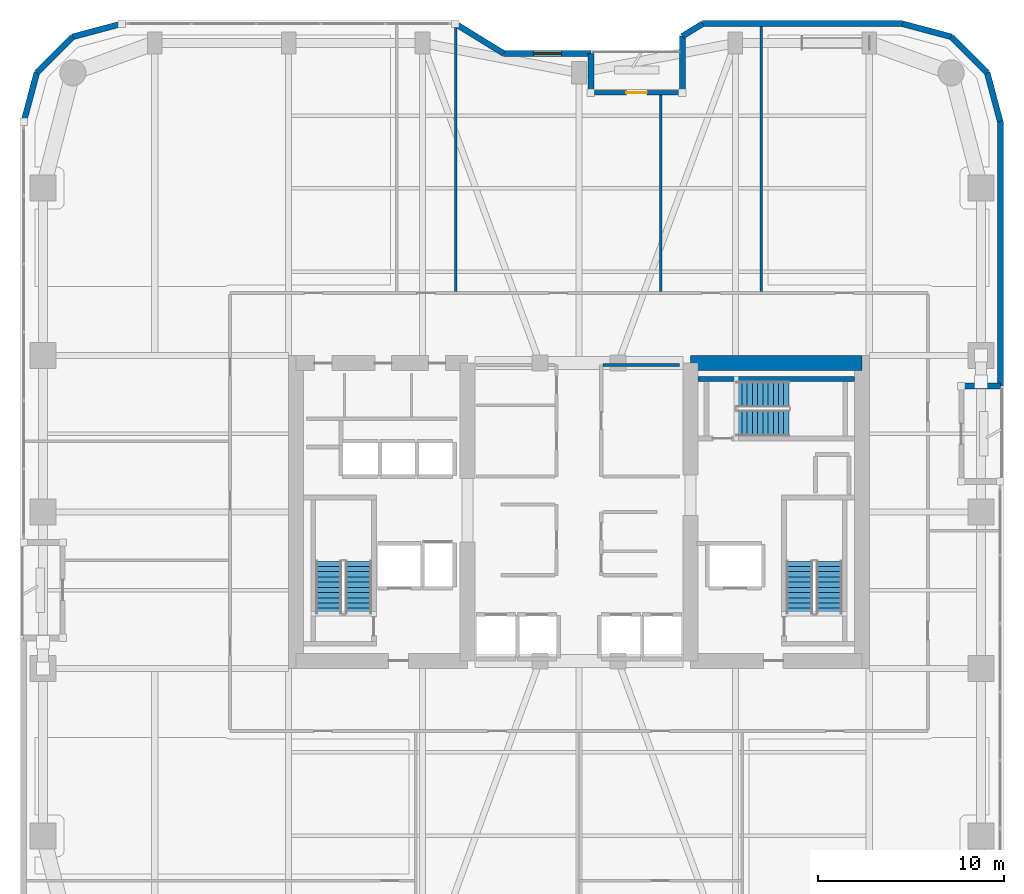
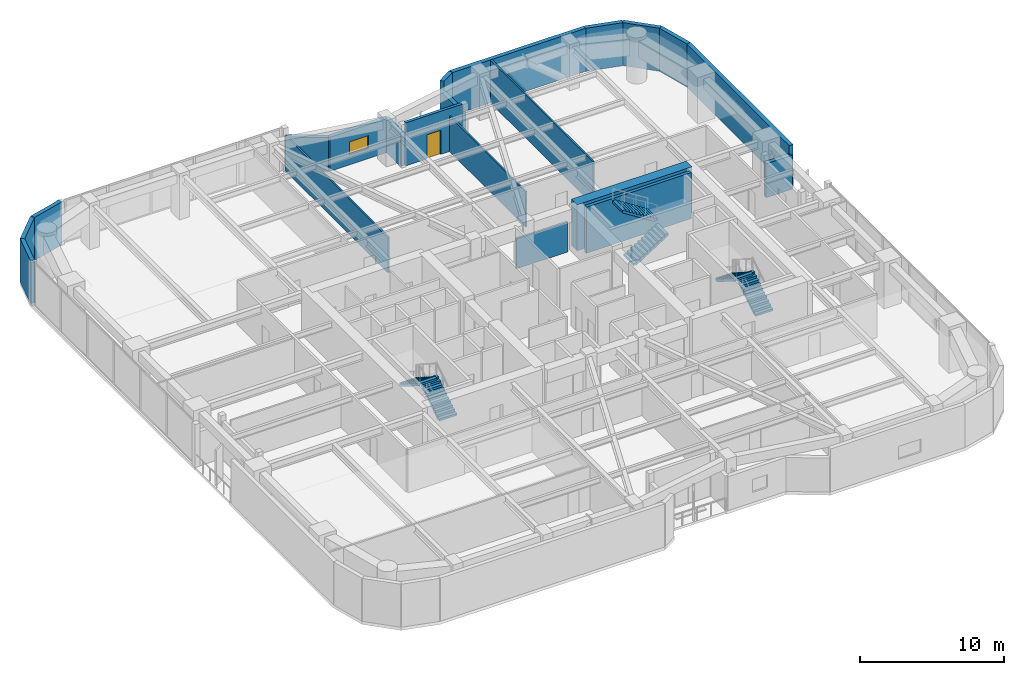
# One storey, part 21 of 24: 21 walls, 6 stair flights, 1 door, 1 window, 2 openings, 3 elements without a shape of their own.
"""IFC4 building model written with IfcOpenShell, lengths in metres."""

from ifc_helpers import new_model, si_unit, direction, frame, frame_2d, origin, place, context, subcontext, project, spatial, polyline, rectangle, outline, extrude, material, layer, layer_set, type_object, element, fill, aggregate, save


model = new_model("IFC4")

# Units and contexts
model_context = context("Model", 3, precision=1e-05, world=origin(), true_north=direction((0.0, 1.0)))
body_context = subcontext(model_context, "Body", "Model", "MODEL_VIEW")
ifc_project = project(units=[si_unit("LENGTHUNIT", "METRE"), si_unit("AREAUNIT", "SQUARE_METRE"), si_unit("VOLUMEUNIT", "CUBIC_METRE"), si_unit("PLANEANGLEUNIT", "RADIAN"), si_unit("MASSUNIT", "GRAM", prefix="KILO")], contexts=[model_context])

# Site, building, storey
site_placement = place(None, origin())
site = spatial("IfcSite", under=ifc_project, at=site_placement, CompositionType="ELEMENT")
building_placement = place(site_placement, origin())
building = spatial("IfcBuilding", under=site, at=building_placement, Name="Kiyonajd Concourse Tower", CompositionType="ELEMENT")
storey_placement = place(building_placement, frame((0.0, 0.0, 93.60009765625)))
storey = spatial("IfcBuildingStorey", under=building, at=storey_placement, Name="L24", CompositionType="ELEMENT", Elevation=93.60009765625)

# Walls
ifc_material_1 = material(Name="Concrete C70/85", Category="concrete")
ifc_layer_1 = layer(ifc_material_1, 0.800048828125)
ifc_layer_set_1 = layer_set([ifc_layer_1], Name="Concrete C70/85")
wall_type_1 = type_object("IfcWallType", Name="WL-CORE-800", PredefinedType="SHEAR", material=ifc_layer_set_1)
wall_1_placement = place(storey_placement, frame((54.0, 44.0, 0.0), z_axis=(0.0, 0.0, 1.0), x_axis=(1.0, 0.0, 0.0)))
element("IfcWall", 1, at=wall_1_placement, inside=storey, type_object=wall_type_1, Name="L24 East Core North Shear Wall", PredefinedType="SHEAR", context=body_context, shape_type="SweptSolid", body=[
    extrude(rectangle(XDim=9.199951171875, YDim=0.800048828125, at=frame_2d((4.60009765625, 0.0))), origin(), (0.0, 0.0, 1.0), 3.89990234375),
])
ifc_material_2 = material(Name="Precast concrete C50/60", Category="concrete")
ifc_layer_2 = layer(ifc_material_2, 0.320068359375)
ifc_layer_set_2 = layer_set([ifc_layer_2], Name="Precast concrete C50/60")
wall_type_2 = type_object("IfcWallType", Name="WL-EXT-320", PredefinedType="SOLIDWALL", material=ifc_layer_set_2)
wall_2_placement = place(storey_placement, frame((18.159912109375, 56.97900390625, 0.0), z_axis=(0.0, 0.0, 1.0), x_axis=(0.25869736047, 0.965958423373, 0.0)))
element("IfcWall", 2, at=wall_2_placement, inside=storey, type_object=wall_type_2, Name="L24 Exterior Concrete Frame Wall 06", PredefinedType="SOLIDWALL", context=body_context, shape_type="SweptSolid", body=[
    extrude(rectangle(XDim=2.731201171875, YDim=0.320068359375, at=frame_2d((1.36572265625, 0.0))), origin(), (0.0, 0.0, 1.0), 3.639892578125),
])
wall_3_placement = place(storey_placement, frame((18.866455078125, 59.6171875, 0.0), z_axis=(0.0, 0.0, 1.0), x_axis=(0.707106781187, 0.707106781187, 0.0)))
element("IfcWall", 3, at=wall_3_placement, inside=storey, type_object=wall_type_2, Name="L24 Exterior Concrete Frame Wall 07", PredefinedType="SOLIDWALL", context=body_context, shape_type="SweptSolid", body=[
    extrude(rectangle(XDim=2.7099609375, YDim=0.320068359375, at=frame_2d((1.35498046875, 0.0))), origin(), (0.0, 0.0, 1.0), 3.639892578125),
])
wall_4_placement = place(storey_placement, frame((20.78271484375, 61.533447265625, 0.0), z_axis=(0.0, 0.0, 1.0), x_axis=(0.965964405026, 0.25867502435, 0.0)))
element("IfcWall", 4, at=wall_4_placement, inside=storey, type_object=wall_type_2, Name="L24 Exterior Concrete Frame Wall 08", PredefinedType="SOLIDWALL", context=body_context, shape_type="SweptSolid", body=[
    extrude(rectangle(XDim=2.7314453125, YDim=0.320068359375, at=frame_2d((1.36572265625, 0.0))), origin(), (0.0, 0.0, 1.0), 3.639892578125),
])
wall_5_placement = place(storey_placement, frame((41.354736328125, 62.239990234375, 0.0), z_axis=(0.0, 0.0, 1.0), x_axis=(0.851630857047, -0.524142044989, 0.0)))
element("IfcWall", 5, at=wall_5_placement, inside=storey, type_object=wall_type_2, Name="L24 Exterior Concrete Frame Wall 10", PredefinedType="SOLIDWALL", context=body_context, shape_type="SweptSolid", body=[
    extrude(rectangle(XDim=3.052734375, YDim=0.320068359375, at=frame_2d((1.5263671875, 0.0))), origin(), (0.0, 0.0, 1.0), 2.875),
])

# Wall, opening, window
wall_6_placement = place(storey_placement, frame((43.95458984375, 60.639892578125, 0.0), z_axis=(0.0, 0.0, 1.0), x_axis=(1.0, 0.0, 0.0)))
wall_6 = element("IfcWall", 6, at=wall_6_placement, inside=storey, type_object=wall_type_2, Name="L24 Exterior Concrete Frame Wall 11", PredefinedType="SOLIDWALL", context=body_context, shape_type="SweptSolid", body=[
    extrude(rectangle(XDim=4.685302734375, YDim=0.320068359375, at=frame_2d((2.3427734375, 0.0))), origin(), (0.0, 0.0, 1.0), 2.875),
])
opening_1_placement = place(wall_6_placement, frame((1.593017578125, 0.0, 0.85009765625)))
opening_1 = element("IfcOpeningElement", 7, at=opening_1_placement, cuts=wall_6, Name="Opening WN2", PredefinedType="OPENING", context=body_context, shape_type="SweptSolid", body=[
    extrude(rectangle(XDim=1.5, YDim=1.10009765625, at=frame_2d((0.75, 0.550048828125))), frame((0.0, 0.169921875, 0.0), z_axis=(0.0, -1.0, 0.0), x_axis=(1.0, 0.0, 0.0)), (0.0, 0.0, 1.0), 0.340087890625),
])
ifc_material_3 = material(Name="Double Low-E Insulated Glass", Category="glass")
window_type = type_object("IfcWindowType", Name="WN-VIS-1500x1100", PartitioningType="SINGLE_PANEL", PredefinedType="WINDOW", material=ifc_material_3)
window_placement = place(opening_1_placement, origin())
window = element("IfcWindow", 8, at=window_placement, inside=storey, type_object=window_type, Name="L24 Modular Facade Vision Window 11", OverallHeight=1.10009765625, OverallWidth=1.5, PartitioningType="SINGLE_PANEL", PredefinedType="WINDOW", context=body_context, shape_type="SweptSolid", body=[
    extrude(rectangle(XDim=1.5, YDim=1.10009765625, at=frame_2d((0.75, 0.550048828125))), frame((0.0, 0.030029296875, 0.0), z_axis=(0.0, -1.0, 0.0), x_axis=(1.0, 0.0, 0.0)), (0.0, 0.0, 1.0), 0.06005859375),
])
fill(opening_1, window)

# Walls
wall_7_placement = place(storey_placement, frame((48.639892578125, 60.639892578125, 0.0), z_axis=(0.0, 0.0, 1.0), x_axis=(0.0, -1.0, 0.0)))
element("IfcWall", 9, at=wall_7_placement, inside=storey, type_object=wall_type_2, Name="L24 Exterior Concrete Frame Wall 12", PredefinedType="SOLIDWALL", context=body_context, shape_type="SweptSolid", body=[
    extrude(rectangle(XDim=2.099853515625, YDim=0.320068359375, at=frame_2d((1.0498046875, 0.0))), origin(), (0.0, 0.0, 1.0), 2.875),
])
wall_8_placement = place(storey_placement, frame((53.56005859375, 58.5400390625, 0.0), z_axis=(0.0, 0.0, 1.0), x_axis=(0.0, 1.0, 0.0)))
element("IfcWall", 10, at=wall_8_placement, inside=storey, type_object=wall_type_2, Name="L24 Exterior Concrete Frame Wall 14", PredefinedType="SOLIDWALL", context=body_context, shape_type="SweptSolid", body=[
    extrude(rectangle(XDim=3.032470703125, YDim=0.320068359375, at=frame_2d((1.51611328125, 0.0))), origin(), (0.0, 0.0, 1.0), 2.875),
])
wall_9_placement = place(storey_placement, frame((53.56005859375, 61.572509765625, 0.0), z_axis=(0.0, 0.0, 1.0), x_axis=(0.851776724646, 0.523904964045, 0.0)))
element("IfcWall", 11, at=wall_9_placement, inside=storey, type_object=wall_type_2, Name="L24 Exterior Concrete Frame Wall 15", PredefinedType="SOLIDWALL", context=body_context, shape_type="SweptSolid", body=[
    extrude(rectangle(XDim=1.274169921875, YDim=0.320068359375, at=frame_2d((0.63720703125, 0.0))), origin(), (0.0, 0.0, 1.0), 3.639892578125),
])
wall_10_placement = place(storey_placement, frame((54.645263671875, 62.239990234375, 0.0), z_axis=(0.0, 0.0, 1.0), x_axis=(1.0, 0.0, 0.0)))
element("IfcWall", 12, at=wall_10_placement, inside=storey, type_object=wall_type_2, Name="L24 Exterior Concrete Frame Wall 16", PredefinedType="SOLIDWALL", context=body_context, shape_type="SweptSolid", body=[
    extrude(rectangle(XDim=10.733642578125, YDim=0.320068359375, at=frame_2d((5.36669921875, 0.0))), origin(), (0.0, 0.0, 1.0), 3.639892578125),
])
wall_11_placement = place(storey_placement, frame((65.37890625, 62.239990234375, 0.0), z_axis=(0.0, 0.0, 1.0), x_axis=(0.965958423373, -0.25869736047, 0.0)))
element("IfcWall", 13, at=wall_11_placement, inside=storey, type_object=wall_type_2, Name="L24 Exterior Concrete Frame Wall 17", PredefinedType="SOLIDWALL", context=body_context, shape_type="SweptSolid", body=[
    extrude(rectangle(XDim=2.731201171875, YDim=0.320068359375, at=frame_2d((1.36572265625, 0.0))), origin(), (0.0, 0.0, 1.0), 3.639892578125),
])
wall_12_placement = place(storey_placement, frame((68.01708984375, 61.533447265625, 0.0), z_axis=(0.0, 0.0, 1.0), x_axis=(0.707151821269, -0.707061738235, 0.0)))
element("IfcWall", 14, at=wall_12_placement, inside=storey, type_object=wall_type_2, Name="L24 Exterior Concrete Frame Wall 18", PredefinedType="SOLIDWALL", context=body_context, shape_type="SweptSolid", body=[
    extrude(rectangle(XDim=2.710205078125, YDim=0.320068359375, at=frame_2d((1.35498046875, 0.0))), origin(), (0.0, 0.0, 1.0), 3.639892578125),
])
wall_13_placement = place(storey_placement, frame((69.93359375, 59.6171875, 0.0), z_axis=(0.0, 0.0, 1.0), x_axis=(0.258613949072, -0.965980758269, 0.0)))
element("IfcWall", 15, at=wall_13_placement, inside=storey, type_object=wall_type_2, Name="L24 Exterior Concrete Frame Wall 19", PredefinedType="SOLIDWALL", context=body_context, shape_type="SweptSolid", body=[
    extrude(rectangle(XDim=2.731201171875, YDim=0.320068359375, at=frame_2d((1.36572265625, 0.0))), origin(), (0.0, 0.0, 1.0), 3.639892578125),
])
wall_14_placement = place(storey_placement, frame((70.639892578125, 56.97900390625, 0.0), z_axis=(0.0, 0.0, 1.0), x_axis=(0.0, -1.0, 0.0)))
element("IfcWall", 16, at=wall_14_placement, inside=storey, type_object=wall_type_2, Name="L24 Exterior Concrete Frame Wall 20", PredefinedType="SOLIDWALL", context=body_context, shape_type="SweptSolid", body=[
    extrude(rectangle(XDim=14.218994140625, YDim=0.320068359375, at=frame_2d((7.109375, 0.0))), origin(), (0.0, 0.0, 1.0), 3.639892578125),
])
wall_15_placement = place(storey_placement, frame((70.639892578125, 42.760009765625, 0.0), z_axis=(0.0, 0.0, 1.0), x_axis=(-1.0, 0.0, 0.0)))
element("IfcWall", 17, at=wall_15_placement, inside=storey, type_object=wall_type_2, Name="L24 Exterior Concrete Frame Wall 21", PredefinedType="SOLIDWALL", context=body_context, shape_type="SweptSolid", body=[
    extrude(rectangle(XDim=2.099853515625, YDim=0.320068359375, at=frame_2d((1.0498046875, 0.0))), origin(), (0.0, 0.0, 1.0), 2.875),
])

# Wall, opening, door
ifc_layer_3 = layer(ifc_material_2, 0.239990234375)
ifc_layer_set_3 = layer_set([ifc_layer_3], Name="Precast concrete C50/60")
wall_type_3 = type_object("IfcWallType", Name="WL-LOG-240", PredefinedType="SOLIDWALL", material=ifc_layer_set_3)
wall_16_placement = place(storey_placement, frame((48.8349609375, 58.5400390625, 0.0), z_axis=(0.0, 0.0, 1.0), x_axis=(1.0, 0.0, 0.0)))
wall_16 = element("IfcWall", 18, at=wall_16_placement, inside=storey, type_object=wall_type_3, Name="L24 Recessed Loggia Thermal Wall LOG-N", PredefinedType="SOLIDWALL", context=body_context, shape_type="SweptSolid", body=[
    extrude(rectangle(XDim=4.530029296875, YDim=0.239990234375, at=frame_2d((2.26513671875, 0.0))), origin(), (0.0, 0.0, 1.0), 3.639892578125),
])
opening_2_placement = place(wall_16_placement, frame((1.715087890625, 0.0, 0.0)))
opening_2 = element("IfcOpeningElement", 19, at=opening_2_placement, cuts=wall_16, Name="Opening DL2", PredefinedType="OPENING", context=body_context, shape_type="SweptSolid", body=[
    extrude(rectangle(XDim=1.10009765625, YDim=2.0400390625, at=frame_2d((0.550048828125, 1.02001953125))), frame((0.0, 0.1298828125, 0.0), z_axis=(0.0, -1.0, 0.0), x_axis=(1.0, 0.0, 0.0)), (0.0, 0.0, 1.0), 0.260009765625),
])
ifc_material_4 = material(Name="Thermally Broken Anodised Aluminium", Category="aluminium")
door_type = type_object("IfcDoorType", Name="DR-LOG-1100", OperationType="NOTDEFINED", PredefinedType="DOOR", material=ifc_material_4)
door_placement = place(opening_2_placement, origin())
door = element("IfcDoor", 20, at=door_placement, inside=storey, type_object=door_type, Name="L24 Engawa Loggia Access Door LOG-N", OperationType="SINGLE_SWING_RIGHT", OverallHeight=2.0400390625, OverallWidth=1.10009765625, PredefinedType="DOOR", context=body_context, shape_type="SweptSolid", body=[
    extrude(rectangle(XDim=1.10009765625, YDim=2.0400390625, at=frame_2d((0.550048828125, 1.02001953125))), frame((0.0, 0.02490234375, 0.0), z_axis=(0.0, -1.0, 0.0), x_axis=(1.0, 0.0, 0.0)), (0.0, 0.0, 1.0), 0.050048828125),
])
fill(opening_2, door)

# Walls
ifc_material_5 = material(Name="Gypsum Board on Cold-Formed Steel Stud", Category="steel")
ifc_layer_4 = layer(ifc_material_5, 0.125)
ifc_layer_set_4 = layer_set([ifc_layer_4], Name="Gypsum Board on Cold-Formed Steel Stud")
wall_type_4 = type_object("IfcWallType", Name="WL-PART-125", PredefinedType="PARTITIONING", material=ifc_layer_set_4)
wall_17_placement = place(storey_placement, frame((41.3798828125, 47.85693359375, 0.0), z_axis=(0.0, 0.0, 1.0), x_axis=(0.0, 1.0, 0.0)))
element("IfcWall", 21, at=wall_17_placement, inside=storey, type_object=wall_type_4, Name="L24 Interior Partition Wall", PredefinedType="PARTITIONING", context=body_context, shape_type="SweptSolid", body=[
    extrude(rectangle(XDim=14.18798828125, YDim=0.125, at=frame_2d((7.093994140625, 0.0))), origin(), (0.0, 0.0, 1.0), 3.0029296875),
])
wall_18_placement = place(storey_placement, frame((52.39990234375, 47.85693359375, 0.0), z_axis=(0.0, 0.0, 1.0), x_axis=(0.0, 1.0, 0.0)))
element("IfcWall", 22, at=wall_18_placement, inside=storey, type_object=wall_type_4, Name="L24 Interior Partition Wall", PredefinedType="PARTITIONING", context=body_context, shape_type="SweptSolid", body=[
    extrude(rectangle(XDim=10.568115234375, YDim=0.125, at=frame_2d((5.2841796875, 0.0))), origin(), (0.0, 0.0, 1.0), 3.0029296875),
])
wall_19_placement = place(storey_placement, frame((57.7900390625, 47.85693359375, 0.0), z_axis=(0.0, 0.0, 1.0), x_axis=(0.0, 1.0, 0.0)))
element("IfcWall", 23, at=wall_19_placement, inside=storey, type_object=wall_type_4, Name="L24 Interior Partition Wall", PredefinedType="PARTITIONING", context=body_context, shape_type="SweptSolid", body=[
    extrude(rectangle(XDim=14.22802734375, YDim=0.125, at=frame_2d((7.114013671875, 0.0))), origin(), (0.0, 0.0, 1.0), 3.639892578125),
])
ifc_layer_5 = layer(ifc_material_5, 0.169921875)
ifc_layer_set_5 = layer_set([ifc_layer_5], Name="Gypsum Board on Cold-Formed Steel Stud")
wall_type_5 = type_object("IfcWallType", Name="WL-SMK-170", PredefinedType="PARTITIONING", material=ifc_layer_set_5)
wall_20_placement = place(storey_placement, frame((49.287109375, 43.89990234375, 0.0), z_axis=(0.0, 0.0, 1.0), x_axis=(1.0, 0.0, 0.0)))
element("IfcWall", 24, at=wall_20_placement, inside=storey, type_object=wall_type_5, Name="L24 Interior Partition Wall", PredefinedType="PARTITIONING", context=body_context, shape_type="SweptSolid", body=[
    extrude(rectangle(XDim=4.11279296875, YDim=0.169921875, at=frame_2d((2.056396484375, 0.0))), origin(), (0.0, 0.0, 1.0), 2.52490234375),
])
ifc_material_6 = material(Name="Concrete C50/60", Category="concrete")
ifc_layer_6 = layer(ifc_material_6, 0.260009765625)
ifc_layer_set_6 = layer_set([ifc_layer_6], Name="Concrete C50/60")
wall_type_6 = type_object("IfcWallType", Name="WL-STAIR-260", PredefinedType="SHEAR", material=ifc_layer_set_6)
wall_21_placement = place(storey_placement, frame((54.39990234375, 43.14990234375, 0.0), z_axis=(0.0, 0.0, 1.0), x_axis=(1.0, 0.0, 0.0)))
element("IfcWall", 25, at=wall_21_placement, inside=storey, type_object=wall_type_6, Name="L24 Stair ST3 Structural North Wall", PredefinedType="SHEAR", context=body_context, shape_type="SweptSolid", body=[
    extrude(rectangle(XDim=8.400146484375, YDim=0.260009765625, at=frame_2d((4.2001953125, 0.0))), origin(), (0.0, 0.0, 1.0), 3.89990234375),
])

# Stair, stair flights
ifc_material_7 = material(Name="Concrete C40/50", Category="concrete")
stair_type = type_object("IfcStairType", Name="ST-DLG-22R", PredefinedType="HALF_TURN_STAIR", material=ifc_material_7)
stair_1_placement = place(storey_placement, origin())
stair_1 = element("IfcStair", 26, at=stair_1_placement, inside=storey, type_object=stair_type, Name="L24 Protected Exit Stair ST1", PredefinedType="HALF_TURN_STAIR")
stair_flight_type = type_object("IfcStairFlightType", Name="SF-STR-22R", PredefinedType="STRAIGHT", material=ifc_material_7)
stair_flight_1_placement = place(storey_placement, frame((36.14990234375, 30.550048828125, 0.0), z_axis=(0.0, 0.0, 1.0), x_axis=(0.0, 1.0, 0.0)))
stair_flight_1 = element("IfcStairFlight", 27, at=stair_flight_1_placement, type_object=stair_flight_type, Name="ST1 flight 1", NumberOfRisers=11, NumberOfTreads=10, PredefinedType="STRAIGHT", RiserHeight=0.177272727, TreadLength=0.28, context=body_context, shape_type="SweptSolid", body=[
    extrude(outline(polyline([(0.0, 0.0), (0.0, 0.17724609375), (0.280029296875, 0.17724609375), (0.280029296875, 0.3544921875), (0.56005859375, 0.3544921875), (0.56005859375, 0.53173828125), (0.840087890625, 0.53173828125), (0.840087890625, 0.708984375), (1.1201171875, 0.708984375), (1.1201171875, 0.886474609375), (1.39990234375, 0.886474609375), (1.39990234375, 1.063720703125), (1.679931640625, 1.063720703125), (1.679931640625, 1.240966796875), (1.9599609375, 1.240966796875), (1.9599609375, 1.418212890625), (2.239990234375, 1.418212890625), (2.239990234375, 1.595458984375), (2.52001953125, 1.595458984375), (2.52001953125, 1.772705078125), (2.800048828125, 1.772705078125), (2.800048828125, 1.949951171875), (2.800048828125, 1.59521484375), (0.2802734375, 0.0), (0.0, 0.0)])), frame((0.0, 0.699951171875, 0.0), z_axis=(0.0, -1.0, 0.0), x_axis=(1.0, 0.0, 0.0)), (0.0, 0.0, 1.0), 1.39990234375),
])
stair_flight_2_placement = place(storey_placement, frame((34.550048828125, 33.35009765625, 1.949951171875), z_axis=(0.0, 0.0, 1.0), x_axis=(0.0, -1.0, 0.0)))
stair_flight_2 = element("IfcStairFlight", 28, at=stair_flight_2_placement, type_object=stair_flight_type, Name="ST1 flight 2", NumberOfRisers=11, NumberOfTreads=10, PredefinedType="STRAIGHT", RiserHeight=0.177272727, TreadLength=0.28, context=body_context, shape_type="SweptSolid", body=[
    extrude(outline(polyline([(0.0, 0.0), (0.0, 0.17724609375), (0.280029296875, 0.17724609375), (0.280029296875, 0.3544921875), (0.56005859375, 0.3544921875), (0.56005859375, 0.53173828125), (0.840087890625, 0.53173828125), (0.840087890625, 0.708984375), (1.1201171875, 0.708984375), (1.1201171875, 0.886474609375), (1.39990234375, 0.886474609375), (1.39990234375, 1.063720703125), (1.679931640625, 1.063720703125), (1.679931640625, 1.240966796875), (1.9599609375, 1.240966796875), (1.9599609375, 1.418212890625), (2.239990234375, 1.418212890625), (2.239990234375, 1.595458984375), (2.52001953125, 1.595458984375), (2.52001953125, 1.772705078125), (2.800048828125, 1.772705078125), (2.800048828125, 1.949951171875), (2.800048828125, 1.59521484375), (0.2802734375, 0.0), (0.0, 0.0)])), frame((0.0, 0.699951171875, 0.0), z_axis=(0.0, -1.0, 0.0), x_axis=(1.0, 0.0, 0.0)), (0.0, 0.0, 1.0), 1.39990234375),
])
aggregate(stair_1, [stair_flight_1, stair_flight_2])

stair_2_placement = place(storey_placement, origin())
stair_2 = element("IfcStair", 29, at=stair_2_placement, inside=storey, type_object=stair_type, Name="L24 Protected Exit Stair ST2", PredefinedType="HALF_TURN_STAIR")
stair_flight_3_placement = place(storey_placement, frame((61.449951171875, 30.550048828125, 0.0), z_axis=(0.0, 0.0, 1.0), x_axis=(0.0, 1.0, 0.0)))
stair_flight_3 = element("IfcStairFlight", 30, at=stair_flight_3_placement, type_object=stair_flight_type, Name="ST2 flight 1", NumberOfRisers=11, NumberOfTreads=10, PredefinedType="STRAIGHT", RiserHeight=0.177272727, TreadLength=0.28, context=body_context, shape_type="SweptSolid", body=[
    extrude(outline(polyline([(0.0, 0.0), (0.0, 0.17724609375), (0.280029296875, 0.17724609375), (0.280029296875, 0.3544921875), (0.56005859375, 0.3544921875), (0.56005859375, 0.53173828125), (0.840087890625, 0.53173828125), (0.840087890625, 0.708984375), (1.1201171875, 0.708984375), (1.1201171875, 0.886474609375), (1.39990234375, 0.886474609375), (1.39990234375, 1.063720703125), (1.679931640625, 1.063720703125), (1.679931640625, 1.240966796875), (1.9599609375, 1.240966796875), (1.9599609375, 1.418212890625), (2.239990234375, 1.418212890625), (2.239990234375, 1.595458984375), (2.52001953125, 1.595458984375), (2.52001953125, 1.772705078125), (2.800048828125, 1.772705078125), (2.800048828125, 1.949951171875), (2.800048828125, 1.59521484375), (0.2802734375, 0.0), (0.0, 0.0)])), frame((0.0, 0.699951171875, 0.0), z_axis=(0.0, -1.0, 0.0), x_axis=(1.0, 0.0, 0.0)), (0.0, 0.0, 1.0), 1.39990234375),
])
stair_flight_4_placement = place(storey_placement, frame((59.85009765625, 33.35009765625, 1.949951171875), z_axis=(0.0, 0.0, 1.0), x_axis=(0.0, -1.0, 0.0)))
stair_flight_4 = element("IfcStairFlight", 31, at=stair_flight_4_placement, type_object=stair_flight_type, Name="ST2 flight 2", NumberOfRisers=11, NumberOfTreads=10, PredefinedType="STRAIGHT", RiserHeight=0.177272727, TreadLength=0.28, context=body_context, shape_type="SweptSolid", body=[
    extrude(outline(polyline([(0.0, 0.0), (0.0, 0.17724609375), (0.280029296875, 0.17724609375), (0.280029296875, 0.3544921875), (0.56005859375, 0.3544921875), (0.56005859375, 0.53173828125), (0.840087890625, 0.53173828125), (0.840087890625, 0.708984375), (1.1201171875, 0.708984375), (1.1201171875, 0.886474609375), (1.39990234375, 0.886474609375), (1.39990234375, 1.063720703125), (1.679931640625, 1.063720703125), (1.679931640625, 1.240966796875), (1.9599609375, 1.240966796875), (1.9599609375, 1.418212890625), (2.239990234375, 1.418212890625), (2.239990234375, 1.595458984375), (2.52001953125, 1.595458984375), (2.52001953125, 1.772705078125), (2.800048828125, 1.772705078125), (2.800048828125, 1.949951171875), (2.800048828125, 1.59521484375), (0.2802734375, 0.0), (0.0, 0.0)])), frame((0.0, 0.699951171875, 0.0), z_axis=(0.0, -1.0, 0.0), x_axis=(1.0, 0.0, 0.0)), (0.0, 0.0, 1.0), 1.39990234375),
])
aggregate(stair_2, [stair_flight_3, stair_flight_4])

stair_3_placement = place(storey_placement, origin())
stair_3 = element("IfcStair", 32, at=stair_3_placement, inside=storey, type_object=stair_type, Name="L24 Protected Exit Stair ST3", PredefinedType="HALF_TURN_STAIR")
stair_flight_5_placement = place(storey_placement, frame((56.47998046875, 40.780029296875, 0.0), z_axis=(0.0, 0.0, 1.0), x_axis=(1.0, 0.0, 0.0)))
stair_flight_5 = element("IfcStairFlight", 33, at=stair_flight_5_placement, type_object=stair_flight_type, Name="ST3 flight 1", NumberOfRisers=11, NumberOfTreads=10, PredefinedType="STRAIGHT", RiserHeight=0.177272727, TreadLength=0.28, context=body_context, shape_type="SweptSolid", body=[
    extrude(outline(polyline([(0.0, 0.0), (0.0, 0.17724609375), (0.280029296875, 0.17724609375), (0.280029296875, 0.3544921875), (0.56005859375, 0.3544921875), (0.56005859375, 0.53173828125), (0.840087890625, 0.53173828125), (0.840087890625, 0.708984375), (1.1201171875, 0.708984375), (1.1201171875, 0.886474609375), (1.39990234375, 0.886474609375), (1.39990234375, 1.063720703125), (1.679931640625, 1.063720703125), (1.679931640625, 1.240966796875), (1.9599609375, 1.240966796875), (1.9599609375, 1.418212890625), (2.239990234375, 1.418212890625), (2.239990234375, 1.595458984375), (2.52001953125, 1.595458984375), (2.52001953125, 1.772705078125), (2.800048828125, 1.772705078125), (2.800048828125, 1.949951171875), (2.800048828125, 1.59521484375), (0.2802734375, 0.0), (0.0, 0.0)])), frame((0.0, 0.699951171875, 0.0), z_axis=(0.0, -1.0, 0.0), x_axis=(1.0, 0.0, 0.0)), (0.0, 0.0, 1.0), 1.39990234375),
])
stair_flight_6_placement = place(storey_placement, frame((59.280029296875, 42.320068359375, 1.949951171875), z_axis=(0.0, 0.0, 1.0), x_axis=(-1.0, 0.0, 0.0)))
stair_flight_6 = element("IfcStairFlight", 34, at=stair_flight_6_placement, type_object=stair_flight_type, Name="ST3 flight 2", NumberOfRisers=11, NumberOfTreads=10, PredefinedType="STRAIGHT", RiserHeight=0.177272727, TreadLength=0.28, context=body_context, shape_type="SweptSolid", body=[
    extrude(outline(polyline([(0.0, 0.0), (0.0, 0.17724609375), (0.280029296875, 0.17724609375), (0.280029296875, 0.3544921875), (0.56005859375, 0.3544921875), (0.56005859375, 0.53173828125), (0.840087890625, 0.53173828125), (0.840087890625, 0.708984375), (1.1201171875, 0.708984375), (1.1201171875, 0.886474609375), (1.39990234375, 0.886474609375), (1.39990234375, 1.063720703125), (1.679931640625, 1.063720703125), (1.679931640625, 1.240966796875), (1.9599609375, 1.240966796875), (1.9599609375, 1.418212890625), (2.239990234375, 1.418212890625), (2.239990234375, 1.595458984375), (2.52001953125, 1.595458984375), (2.52001953125, 1.772705078125), (2.800048828125, 1.772705078125), (2.800048828125, 1.949951171875), (2.800048828125, 1.59521484375), (0.2802734375, 0.0), (0.0, 0.0)])), frame((0.0, 0.699951171875, 0.0), z_axis=(0.0, -1.0, 0.0), x_axis=(1.0, 0.0, 0.0)), (0.0, 0.0, 1.0), 1.39990234375),
])
aggregate(stair_3, [stair_flight_5, stair_flight_6])

save(model, "model.ifc")
